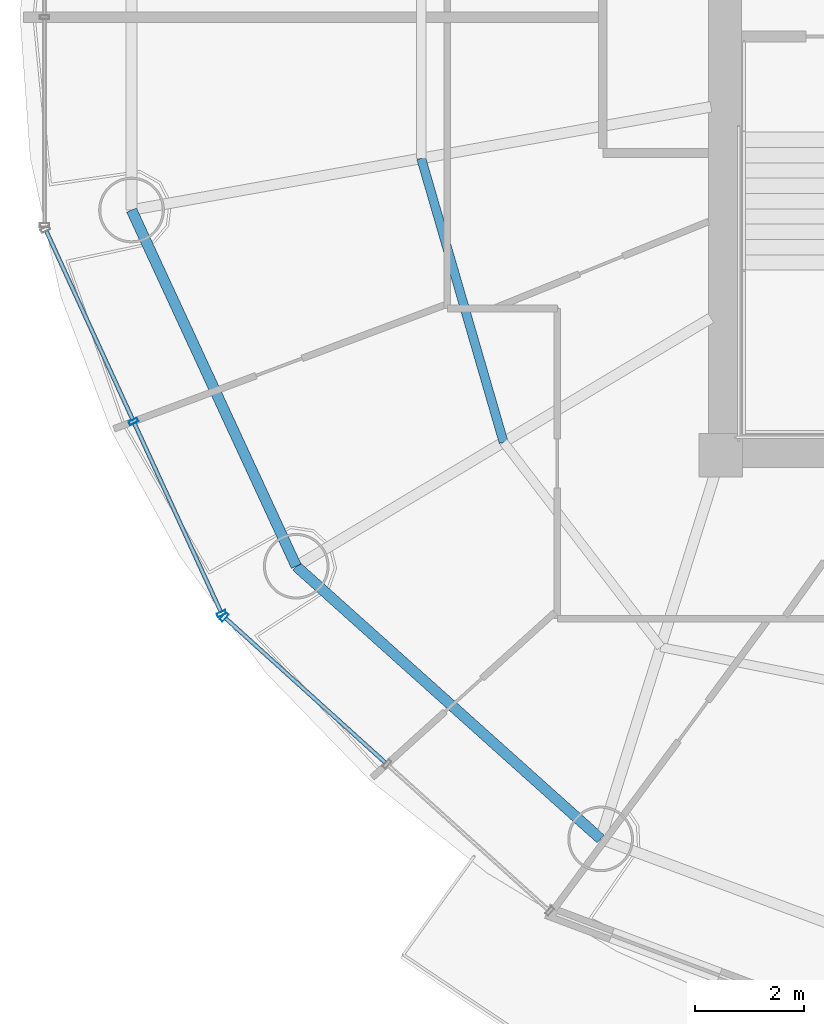
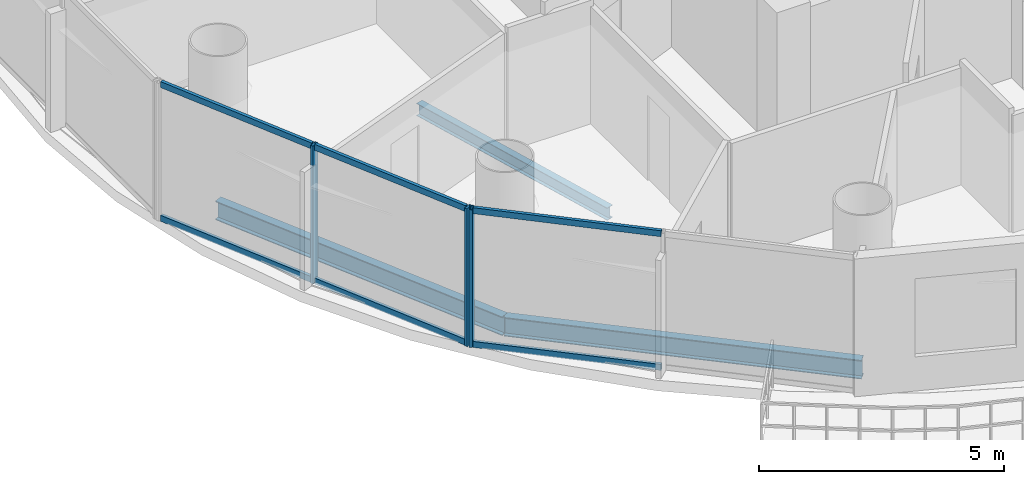
# One storey, part 3 of 26: 9 members, 3 beams, 2 elements without a shape of their own.
"""IFC4 building model written with IfcOpenShell, lengths in metres."""

from ifc_helpers import new_model, si_unit, direction, frame, origin, origin_2d, place, context, subcontext, project, spatial, hollow_rectangle, i_section, extrude, source, transform, mapped, material, material_profile, profile_set, type_object, element, aggregate, save


model = new_model("IFC4")

# Units and contexts
model_context = context("Model", 3, precision=1e-05, world=origin(), true_north=direction((-0.2419218956, 0.970295726276)))
body_context = subcontext(model_context, "Body", "Model", "MODEL_VIEW")
ifc_project = project(units=[si_unit("LENGTHUNIT", "METRE"), si_unit("AREAUNIT", "SQUARE_METRE"), si_unit("VOLUMEUNIT", "CUBIC_METRE"), si_unit("PLANEANGLEUNIT", "RADIAN"), si_unit("MASSUNIT", "GRAM", prefix="KILO")], contexts=[model_context])

# Site, building, storey
site_placement = place(None, origin())
site = spatial("IfcSite", under=ifc_project, at=site_placement, CompositionType="ELEMENT")
building_placement = place(site_placement, origin())
building = spatial("IfcBuilding", under=site, at=building_placement, Name="Cobrevalo Terracotta Tower", CompositionType="ELEMENT")
storey_placement = place(building_placement, frame((0.0, 0.0, 213.39990234375)))
storey = spatial("IfcBuildingStorey", under=building, at=storey_placement, Name="L56", CompositionType="ELEMENT", Elevation=213.39990234375)

# Beams
ifc_material_1 = material(Name="Steel S355", Category="steel")
ifc_material_profile_1 = material_profile(ifc_material_1, i_section(OverallWidth=0.1650390625, OverallDepth=0.31005859375, WebThickness=0.005859375, FlangeThickness=0.009765625, at=origin_2d()), Name="W 310x38.7")
ifc_profile_set_1 = profile_set([ifc_material_profile_1], Name="Steel S355")
beam_type_1 = type_object("IfcBeamType", Name="Structural Joist W 310x38.7 (Steel S355)", PredefinedType="JOIST", material=ifc_profile_set_1)
beam_1_placement = place(storey_placement, frame((23.528564453125, 24.221435546875, -0.419921875), z_axis=(0.278757705995, -0.960361463902, 0.0), x_axis=(0.960361463902, 0.278757705995, 0.0)))
element("IfcBeam", 1, at=beam_1_placement, inside=storey, type_object=beam_type_1, Name="L56 circumferential secondary floor joist 09", PredefinedType="JOIST", context=body_context, shape_type="SweptSolid", body=[
    extrude(i_section(OverallWidth=0.1650390625, OverallDepth=0.31005859375, WebThickness=0.005859375, FlangeThickness=0.009765625, at=origin_2d()), origin(), (0.0, 0.0, 1.0), 5.396728515625),
])
ifc_material_profile_2 = material_profile(ifc_material_1, i_section(OverallWidth=0.194091796875, OverallDepth=0.468994140625, WebThickness=0.011474609375, FlangeThickness=0.0205078125, at=origin_2d()), Name="W 460x106")
ifc_profile_set_2 = profile_set([ifc_material_profile_2], Name="Steel S355")
beam_type_2 = type_object("IfcBeamType", Name="Structural Spandrel W 460x106 (Steel S355)", PredefinedType="SPANDREL", material=ifc_profile_set_2)
beam_2_placement = place(storey_placement, frame((18.237060546875, 23.278564453125, -0.49951171875), z_axis=(0.419718939129, -0.90765412583, 0.0), x_axis=(0.90765412583, 0.419718939129, 0.0)))
element("IfcBeam", 2, at=beam_2_placement, inside=storey, type_object=beam_type_2, Name="L56 perimeter ring spandrel 09", PredefinedType="SPANDREL", context=body_context, shape_type="SweptSolid", body=[
    extrude(i_section(OverallWidth=0.194091796875, OverallDepth=0.468994140625, WebThickness=0.011474609375, FlangeThickness=0.0205078125, at=origin_2d()), origin(), (0.0, 0.0, 1.0), 7.168701171875),
])
beam_3_placement = place(storey_placement, frame((21.245849609375, 16.77197265625, -0.49951171875), z_axis=(0.744851930997, -0.667229796165, 0.0), x_axis=(0.667229796165, 0.744851930997, 0.0)))
element("IfcBeam", 3, at=beam_3_placement, inside=storey, type_object=beam_type_2, Name="L56 perimeter ring spandrel 10", PredefinedType="SPANDREL", context=body_context, shape_type="SweptSolid", body=[
    extrude(i_section(OverallWidth=0.194091796875, OverallDepth=0.468994140625, WebThickness=0.011474609375, FlangeThickness=0.0205078125, at=origin_2d()), origin(), (0.0, 0.0, 1.0), 7.463623046875),
])

# Curtain wall, members
ifc_material_2 = material(Name="Anodized aluminium", Category="aluminium")
curtain_wall_type = type_object("IfcCurtainWallType", Name="Mid-tower high-wind unitised curtain wall CW-U2", PredefinedType="NOTDEFINED", material=ifc_material_2)
curtain_wall_1_placement = place(storey_placement, origin())
curtain_wall_1 = element("IfcCurtainWall", 4, at=curtain_wall_1_placement, inside=storey, type_object=curtain_wall_type, Name="L56 curtain wall CW-L56-S09", PredefinedType="NOTDEFINED")
ifc_material_profile_3 = material_profile(ifc_material_2, hollow_rectangle(XDim=0.074951171875, YDim=0.14990234375, WallThickness=0.00439453125, at=origin_2d()), Name="CWT 75x150")
ifc_profile_set_3 = profile_set([ifc_material_profile_3], Name="Anodized aluminium")
member_type_1 = type_object("IfcMemberType", Name="Tower unitised aluminium transom 75x150", PredefinedType="USERDEFINED", material=ifc_profile_set_3)
shared_shape_1 = source(origin(), body_context, "Body", "SweptSolid", [
    extrude(hollow_rectangle(XDim=0.074951171875, YDim=0.14990234375, WallThickness=0.00439453125, at=origin_2d()), origin(), (0.0, 0.0, 1.0), 3.780029296875),
])
member_1_placement = place(storey_placement, frame((16.681640625, 22.889892578125, 0.050048828125), z_axis=(0.416705859352, -0.909041377926, 0.0), x_axis=(0.909041377926, 0.416705859352, 0.0)))
member_1 = element("IfcMember", 5, at=member_1_placement, type_object=member_type_1, Name="CW-L56-S09 transom B01-T1", ObjectType="TRANSOM", PredefinedType="USERDEFINED", context=body_context, shape_type="MappedRepresentation", body=[
    mapped(shared_shape_1, transform((0.0, 0.0, 0.0), scale=1.0)),
])
member_2_placement = place(storey_placement, frame((16.681640625, 22.889892578125, 3.385009765625), z_axis=(0.416705859352, -0.909041377926, 0.0), x_axis=(0.909041377926, 0.416705859352, 0.0)))
member_2 = element("IfcMember", 6, at=member_2_placement, type_object=member_type_1, Name="CW-L56-S09 transom B01-T2", ObjectType="TRANSOM", PredefinedType="USERDEFINED", context=body_context, shape_type="MappedRepresentation", body=[
    mapped(shared_shape_1, transform((0.0, 0.0, 0.0), scale=1.0)),
])
member_3_placement = place(storey_placement, frame((18.290283203125, 19.380859375, 0.050048828125), z_axis=(0.416705859352, -0.909041377926, 0.0), x_axis=(0.909041377926, 0.416705859352, 0.0)))
member_3 = element("IfcMember", 7, at=member_3_placement, type_object=member_type_1, Name="CW-L56-S09 transom B02-T1", ObjectType="TRANSOM", PredefinedType="USERDEFINED", context=body_context, shape_type="MappedRepresentation", body=[
    mapped(shared_shape_1, transform((0.0, 0.0, 0.0), scale=1.0)),
])
member_4_placement = place(storey_placement, frame((18.290283203125, 19.380859375, 3.385009765625), z_axis=(0.416705859352, -0.909041377926, 0.0), x_axis=(0.909041377926, 0.416705859352, 0.0)))
member_4 = element("IfcMember", 8, at=member_4_placement, type_object=member_type_1, Name="CW-L56-S09 transom B02-T2", ObjectType="TRANSOM", PredefinedType="USERDEFINED", context=body_context, shape_type="MappedRepresentation", body=[
    mapped(shared_shape_1, transform((0.0, 0.0, 0.0), scale=1.0)),
])

curtain_wall_2_placement = place(storey_placement, origin())
curtain_wall_2 = element("IfcCurtainWall", 9, at=curtain_wall_2_placement, inside=storey, type_object=curtain_wall_type, Name="L56 curtain wall CW-L56-S10", PredefinedType="NOTDEFINED")
shared_shape_2 = source(origin(), body_context, "Body", "SweptSolid", [
    extrude(hollow_rectangle(XDim=0.074951171875, YDim=0.14990234375, WallThickness=0.00439453125, at=origin_2d()), origin(), (0.0, 0.0, 1.0), 3.927490234375),
])
member_5_placement = place(storey_placement, frame((19.958251953125, 15.818359375, 0.050048828125), z_axis=(0.741975952623, -0.670426495396, 0.0), x_axis=(0.670426495396, 0.741975952623, 0.0)))
member_5 = element("IfcMember", 10, at=member_5_placement, type_object=member_type_1, Name="CW-L56-S10 transom B01-T1", ObjectType="TRANSOM", PredefinedType="USERDEFINED", context=body_context, shape_type="MappedRepresentation", body=[
    mapped(shared_shape_2, transform((0.0, 0.0, 0.0), scale=1.0)),
])
member_6_placement = place(storey_placement, frame((19.958251953125, 15.818359375, 3.385009765625), z_axis=(0.741975952623, -0.670426495396, 0.0), x_axis=(0.670426495396, 0.741975952623, 0.0)))
member_6 = element("IfcMember", 11, at=member_6_placement, type_object=member_type_1, Name="CW-L56-S10 transom B01-T2", ObjectType="TRANSOM", PredefinedType="USERDEFINED", context=body_context, shape_type="MappedRepresentation", body=[
    mapped(shared_shape_2, transform((0.0, 0.0, 0.0), scale=1.0)),
])

# Member
ifc_material_profile_4 = material_profile(ifc_material_2, hollow_rectangle(XDim=0.070068359375, YDim=0.169921875, WallThickness=0.00439453125, at=origin_2d()), Name="CWM 70x170")
ifc_profile_set_4 = profile_set([ifc_material_profile_4], Name="Anodized aluminium")
member_type_2 = type_object("IfcMemberType", Name="Upper tower unitised mullion 70x170", PredefinedType="MULLION", material=ifc_profile_set_4)
shared_shape_3 = source(origin(), body_context, "Body", "SweptSolid", [
    extrude(hollow_rectangle(XDim=0.070068359375, YDim=0.169921875, WallThickness=0.00439453125, at=origin_2d()), origin(), (0.0, 0.0, 1.0), 3.43505859375),
])
member_7_placement = place(storey_placement, frame((18.273681640625, 19.417236328125, 0.0), z_axis=(0.0, 0.0, 1.0), x_axis=(0.41672507912, -0.909032567311, 0.0)))
member_7 = element("IfcMember", 12, at=member_7_placement, type_object=member_type_2, Name="CW-L56-S09 vertical mullion 02", PredefinedType="MULLION", context=body_context, shape_type="MappedRepresentation", body=[
    mapped(shared_shape_3, transform((0.0, 0.0, 0.0), scale=1.0)),
])

member_8_placement = place(storey_placement, frame((19.88232421875, 15.908203125, 0.0), z_axis=(0.0, 0.0, 1.0), x_axis=(0.41672507912, -0.909032567311, 0.0)))
member_8 = element("IfcMember", 13, at=member_8_placement, type_object=member_type_2, Name="CW-L56-S09 vertical mullion 03", PredefinedType="MULLION", context=body_context, shape_type="MappedRepresentation", body=[
    mapped(shared_shape_3, transform((0.0, 0.0, 0.0), scale=1.0)),
])

aggregate(curtain_wall_1, [member_7, member_8, member_1, member_2, member_3, member_4])

member_9_placement = place(storey_placement, frame((19.928466796875, 15.84521484375, 0.0), z_axis=(0.0, 0.0, 1.0), x_axis=(0.741987542015, -0.670413668935, 0.0)))
member_9 = element("IfcMember", 14, at=member_9_placement, type_object=member_type_2, Name="CW-L56-S10 vertical mullion 01", PredefinedType="MULLION", context=body_context, shape_type="MappedRepresentation", body=[
    mapped(shared_shape_3, transform((0.0, 0.0, 0.0), scale=1.0)),
])

aggregate(curtain_wall_2, [member_9, member_5, member_6])

save(model, "model.ifc")
